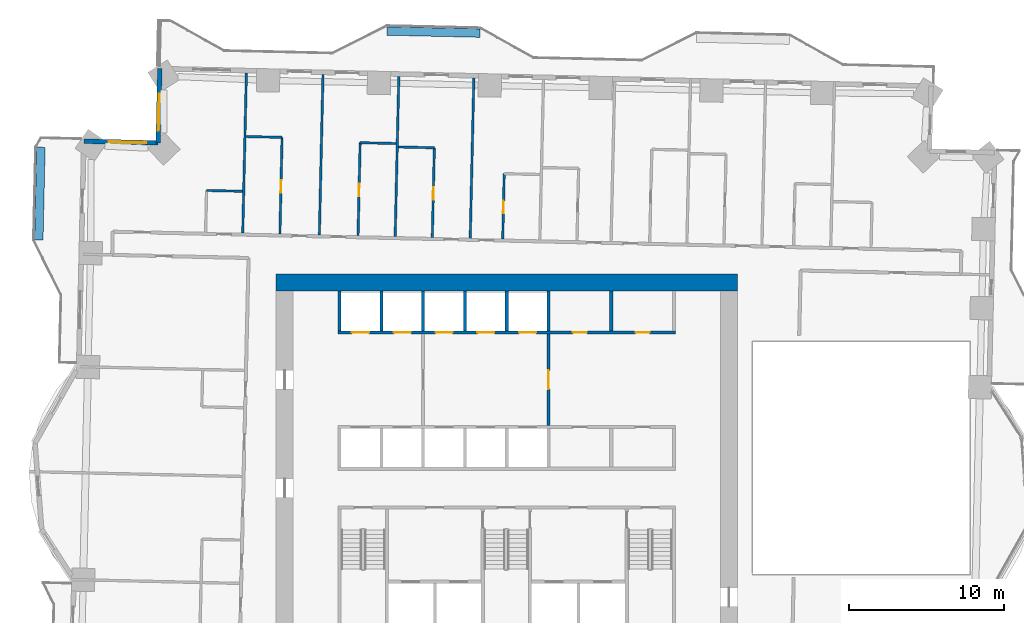
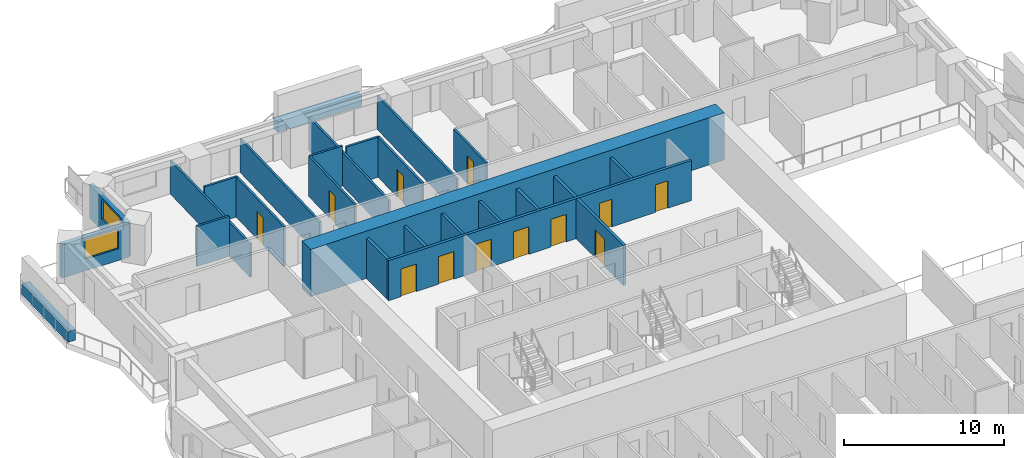
# One storey, part 11 of 19: 26 walls, 12 doors, 2 windows, 14 openings.
"""IFC4 building model written with IfcOpenShell, lengths in metres."""

from ifc_helpers import new_model, si_unit, direction, frame, frame_2d, origin, place, context, subcontext, project, spatial, rectangle, extrude, material, layer, layer_set, type_object, element, fill, save


model = new_model("IFC4")

# Units and contexts
model_context = context("Model", 3, precision=1e-05, world=origin(), true_north=direction((0.0, 1.0)))
body_context = subcontext(model_context, "Body", "Model", "MODEL_VIEW")
ifc_project = project(units=[si_unit("LENGTHUNIT", "METRE"), si_unit("AREAUNIT", "SQUARE_METRE"), si_unit("VOLUMEUNIT", "CUBIC_METRE"), si_unit("PLANEANGLEUNIT", "RADIAN"), si_unit("MASSUNIT", "GRAM", prefix="KILO")], contexts=[model_context])

# Site, building, storey
site_placement = place(None, origin())
site = spatial("IfcSite", under=ifc_project, at=site_placement, CompositionType="ELEMENT")
building_placement = place(site_placement, origin())
building = spatial("IfcBuilding", under=site, at=building_placement, Name="Mangrove Gate Tower", CompositionType="ELEMENT")
storey_placement = place(building_placement, frame((0.0, 0.0, 63.89990234375)))
storey = spatial("IfcBuildingStorey", under=building, at=storey_placement, Name="L15", CompositionType="ELEMENT", Elevation=63.89990234375)

# Wall, opening, door
ifc_material_1 = material(Name="Concrete C32/40", Category="concrete")
ifc_layer_1 = layer(ifc_material_1, 0.199951171875)
ifc_layer_set_1 = layer_set([ifc_layer_1], Name="Core lobby wall 200 C32/40")
wall_type_1 = type_object("IfcWallType", Name="Core lobby wall 200 C32/40", PredefinedType="STANDARD", material=ifc_layer_set_1)
wall_1_placement = place(storey_placement, frame((2.699951171875, 2.10009765625, 0.0), z_axis=(0.0, 0.0, 1.0), x_axis=(0.0, 1.0, 0.0)))
wall_1 = element("IfcWall", 1, at=wall_1_placement, inside=storey, type_object=wall_type_1, Name="WALL-L15-CORE-36", PredefinedType="STANDARD", context=body_context, shape_type="SweptSolid", body=[
    extrude(rectangle(XDim=5.89990234375, YDim=0.199951171875, at=frame_2d((2.949951171875, 0.0))), origin(), (0.0, 0.0, 1.0), 3.050048828125),
])
opening_1_placement = place(wall_1_placement, frame((2.35009765625, 0.0, 0.0)))
opening_1 = element("IfcOpeningElement", 2, at=opening_1_placement, cuts=wall_1, Name="Opening FL12", PredefinedType="OPENING", context=body_context, shape_type="SweptSolid", body=[
    extrude(rectangle(XDim=1.199951171875, YDim=2.10009765625, at=frame_2d((0.60009765625, 1.050048828125))), frame((0.0, 0.10986328125, 0.0), z_axis=(0.0, -1.0, 0.0), x_axis=(1.0, 0.0, 0.0)), (0.0, 0.0, 1.0), 0.219970703125),
])
ifc_material_2 = material(Name="Fire-rated steel door set", Category="steel")
door_type_1 = type_object("IfcDoorType", Name="Lobby door FD60 1200x2100", OperationType="SINGLE_SWING_LEFT", PredefinedType="DOOR", material=ifc_material_2)
door_1_placement = place(opening_1_placement, origin())
door_1 = element("IfcDoor", 3, at=door_1_placement, inside=storey, type_object=door_type_1, Name="Lobby door lift lobby partition", OperationType="SINGLE_SWING_LEFT", OverallHeight=2.10009765625, OverallWidth=1.199951171875, PredefinedType="DOOR", context=body_context, shape_type="SweptSolid", body=[
    extrude(rectangle(XDim=1.199951171875, YDim=2.10009765625, at=frame_2d((0.60009765625, 1.050048828125))), frame((0.0, 0.02490234375, 0.0), z_axis=(0.0, -1.0, 0.0), x_axis=(1.0, 0.0, 0.0)), (0.0, 0.0, 1.0), 0.050048828125),
])
fill(opening_1, door_1)

# Wall
ifc_material_3 = material(Name="Concrete C32/40", Category="concrete")
ifc_layer_2 = layer(ifc_material_3, 0.199951171875)
ifc_layer_set_2 = layer_set([ifc_layer_2], Name="Core room wall 200 C32/40")
wall_type_2 = type_object("IfcWallType", Name="Core room wall 200 C32/40", PredefinedType="STANDARD", material=ifc_layer_set_2)
wall_2_placement = place(storey_placement, frame((6.75, 8.199951171875, 0.0), z_axis=(0.0, 0.0, 1.0), x_axis=(0.0, 1.0, 0.0)))
element("IfcWall", 4, at=wall_2_placement, inside=storey, type_object=wall_type_2, Name="WALL-L15-CORE-33", PredefinedType="STANDARD", context=body_context, shape_type="SweptSolid", body=[
    extrude(rectangle(XDim=2.60009765625, YDim=0.199951171875, at=frame_2d((1.300048828125, 0.0))), origin(), (0.0, 0.0, 1.0), 3.050048828125),
])

# Wall, openings, doors
ifc_material_4 = material(Name="Concrete C70/85", Category="concrete")
ifc_layer_3 = layer(ifc_material_4, 0.199951171875)
ifc_layer_set_3 = layer_set([ifc_layer_3], Name="Core shaft wall 200 C70/85")
wall_type_3 = type_object("IfcWallType", Name="Core shaft wall 200 C70/85", PredefinedType="SHEAR", material=ifc_layer_set_3)
wall_3_placement = place(storey_placement, frame((-10.89990234375, 8.10009765625, 0.0), z_axis=(0.0, 0.0, 1.0), x_axis=(1.0, 0.0, 0.0)))
wall_3 = element("IfcWall", 5, at=wall_3_placement, inside=storey, type_object=wall_type_3, Name="WALL-L15-CORE-8", PredefinedType="SHEAR", context=body_context, shape_type="SweptSolid", body=[
    extrude(rectangle(XDim=21.7998046875, YDim=0.199951171875, at=frame_2d((10.89990234375, 0.0))), origin(), (0.0, 0.0, 1.0), 3.050048828125),
])
opening_2_placement = place(wall_3_placement, frame((0.89990234375, 0.0, 0.0)))
opening_2 = element("IfcOpeningElement", 6, at=opening_2_placement, cuts=wall_3, Name="Opening LD", PredefinedType="OPENING", context=body_context, shape_type="SweptSolid", body=[
    extrude(rectangle(XDim=1.10009765625, YDim=2.10009765625, at=frame_2d((0.550048828125, 1.050048828125))), frame((0.0, 0.10986328125, 0.0), z_axis=(0.0, -1.0, 0.0), x_axis=(1.0, 0.0, 0.0)), (0.0, 0.0, 1.0), 0.219970703125),
])
opening_3_placement = place(wall_3_placement, frame((3.60009765625, 0.0, 0.0)))
opening_3 = element("IfcOpeningElement", 7, at=opening_3_placement, cuts=wall_3, Name="Opening LD", PredefinedType="OPENING", context=body_context, shape_type="SweptSolid", body=[
    extrude(rectangle(XDim=1.10009765625, YDim=2.10009765625, at=frame_2d((0.550048828125, 1.050048828125))), frame((0.0, 0.10986328125, 0.0), z_axis=(0.0, -1.0, 0.0), x_axis=(1.0, 0.0, 0.0)), (0.0, 0.0, 1.0), 0.219970703125),
])
opening_4_placement = place(wall_3_placement, frame((6.300048828125, 0.0, 0.0)))
opening_4 = element("IfcOpeningElement", 8, at=opening_4_placement, cuts=wall_3, Name="Opening LD", PredefinedType="OPENING", context=body_context, shape_type="SweptSolid", body=[
    extrude(rectangle(XDim=1.10009765625, YDim=2.10009765625, at=frame_2d((0.550048828125, 1.050048828125))), frame((0.0, 0.10986328125, 0.0), z_axis=(0.0, -1.0, 0.0), x_axis=(1.0, 0.0, 0.0)), (0.0, 0.0, 1.0), 0.219970703125),
])
opening_5_placement = place(wall_3_placement, frame((9.0, 0.0, 0.0)))
opening_5 = element("IfcOpeningElement", 9, at=opening_5_placement, cuts=wall_3, Name="Opening LD", PredefinedType="OPENING", context=body_context, shape_type="SweptSolid", body=[
    extrude(rectangle(XDim=1.10009765625, YDim=2.10009765625, at=frame_2d((0.550048828125, 1.050048828125))), frame((0.0, 0.10986328125, 0.0), z_axis=(0.0, -1.0, 0.0), x_axis=(1.0, 0.0, 0.0)), (0.0, 0.0, 1.0), 0.219970703125),
])
opening_6_placement = place(wall_3_placement, frame((11.699951171875, 0.0, 0.0)))
opening_6 = element("IfcOpeningElement", 10, at=opening_6_placement, cuts=wall_3, Name="Opening LD", PredefinedType="OPENING", context=body_context, shape_type="SweptSolid", body=[
    extrude(rectangle(XDim=1.10009765625, YDim=2.10009765625, at=frame_2d((0.550048828125, 1.050048828125))), frame((0.0, 0.10986328125, 0.0), z_axis=(0.0, -1.0, 0.0), x_axis=(1.0, 0.0, 0.0)), (0.0, 0.0, 1.0), 0.219970703125),
])
opening_7_placement = place(wall_3_placement, frame((15.175048828125, 0.0, 0.0)))
opening_7 = element("IfcOpeningElement", 11, at=opening_7_placement, cuts=wall_3, Name="Opening RD", PredefinedType="OPENING", context=body_context, shape_type="SweptSolid", body=[
    extrude(rectangle(XDim=0.89990234375, YDim=2.10009765625, at=frame_2d((0.449951171875, 1.050048828125))), frame((0.0, 0.10986328125, 0.0), z_axis=(0.0, -1.0, 0.0), x_axis=(1.0, 0.0, 0.0)), (0.0, 0.0, 1.0), 0.219970703125),
])
opening_8_placement = place(wall_3_placement, frame((19.22509765625, 0.0, 0.0)))
opening_8 = element("IfcOpeningElement", 12, at=opening_8_placement, cuts=wall_3, Name="Opening KD", PredefinedType="OPENING", context=body_context, shape_type="SweptSolid", body=[
    extrude(rectangle(XDim=0.89990234375, YDim=2.10009765625, at=frame_2d((0.449951171875, 1.050048828125))), frame((0.0, 0.10986328125, 0.0), z_axis=(0.0, -1.0, 0.0), x_axis=(1.0, 0.0, 0.0)), (0.0, 0.0, 1.0), 0.219970703125),
])
ifc_material_5 = material(Name="Fire-rated steel door set", Category="steel")
door_type_2 = type_object("IfcDoorType", Name="Core room door FD30S 900x2100", OperationType="SINGLE_SWING_RIGHT", PredefinedType="DOOR", material=ifc_material_5)
door_2_placement = place(opening_8_placement, origin())
door_2 = element("IfcDoor", 13, at=door_2_placement, inside=storey, type_object=door_type_2, Name="Core room door Linen store", OperationType="SINGLE_SWING_RIGHT", OverallHeight=2.10009765625, OverallWidth=0.89990234375, PredefinedType="DOOR", context=body_context, shape_type="SweptSolid", body=[
    extrude(rectangle(XDim=0.89990234375, YDim=2.10009765625, at=frame_2d((0.449951171875, 1.050048828125))), frame((0.0, 0.02490234375, 0.0), z_axis=(0.0, -1.0, 0.0), x_axis=(1.0, 0.0, 0.0)), (0.0, 0.0, 1.0), 0.050048828125),
])
fill(opening_8, door_2)
ifc_material_6 = material(Name="Stainless steel 316", Category="steel")
door_type_3 = type_object("IfcDoorType", Name="Lift landing door 1100x2100", OperationType="SLIDING_TO_LEFT", PredefinedType="DOOR", material=ifc_material_6)
door_3_placement = place(opening_2_placement, origin())
door_3 = element("IfcDoor", 14, at=door_3_placement, inside=storey, type_object=door_type_3, Name="Landing door LD P06", OperationType="SLIDING_TO_LEFT", OverallHeight=2.10009765625, OverallWidth=1.10009765625, PredefinedType="DOOR", context=body_context, shape_type="SweptSolid", body=[
    extrude(rectangle(XDim=1.10009765625, YDim=2.10009765625, at=frame_2d((0.550048828125, 1.050048828125))), frame((0.0, 0.02490234375, 0.0), z_axis=(0.0, -1.0, 0.0), x_axis=(1.0, 0.0, 0.0)), (0.0, 0.0, 1.0), 0.050048828125),
])
fill(opening_2, door_3)
door_4_placement = place(opening_3_placement, origin())
door_4 = element("IfcDoor", 15, at=door_4_placement, inside=storey, type_object=door_type_3, Name="Landing door LD P07", OperationType="SLIDING_TO_LEFT", OverallHeight=2.10009765625, OverallWidth=1.10009765625, PredefinedType="DOOR", context=body_context, shape_type="SweptSolid", body=[
    extrude(rectangle(XDim=1.10009765625, YDim=2.10009765625, at=frame_2d((0.550048828125, 1.050048828125))), frame((0.0, 0.02490234375, 0.0), z_axis=(0.0, -1.0, 0.0), x_axis=(1.0, 0.0, 0.0)), (0.0, 0.0, 1.0), 0.050048828125),
])
fill(opening_3, door_4)
door_5_placement = place(opening_4_placement, origin())
door_5 = element("IfcDoor", 16, at=door_5_placement, inside=storey, type_object=door_type_3, Name="Landing door LD P08", OperationType="SLIDING_TO_LEFT", OverallHeight=2.10009765625, OverallWidth=1.10009765625, PredefinedType="DOOR", context=body_context, shape_type="SweptSolid", body=[
    extrude(rectangle(XDim=1.10009765625, YDim=2.10009765625, at=frame_2d((0.550048828125, 1.050048828125))), frame((0.0, 0.02490234375, 0.0), z_axis=(0.0, -1.0, 0.0), x_axis=(1.0, 0.0, 0.0)), (0.0, 0.0, 1.0), 0.050048828125),
])
fill(opening_4, door_5)
door_6_placement = place(opening_5_placement, origin())
door_6 = element("IfcDoor", 17, at=door_6_placement, inside=storey, type_object=door_type_3, Name="Landing door LD P09", OperationType="SLIDING_TO_LEFT", OverallHeight=2.10009765625, OverallWidth=1.10009765625, PredefinedType="DOOR", context=body_context, shape_type="SweptSolid", body=[
    extrude(rectangle(XDim=1.10009765625, YDim=2.10009765625, at=frame_2d((0.550048828125, 1.050048828125))), frame((0.0, 0.02490234375, 0.0), z_axis=(0.0, -1.0, 0.0), x_axis=(1.0, 0.0, 0.0)), (0.0, 0.0, 1.0), 0.050048828125),
])
fill(opening_5, door_6)
door_7_placement = place(opening_6_placement, origin())
door_7 = element("IfcDoor", 18, at=door_7_placement, inside=storey, type_object=door_type_3, Name="Landing door LD P10", OperationType="SLIDING_TO_LEFT", OverallHeight=2.10009765625, OverallWidth=1.10009765625, PredefinedType="DOOR", context=body_context, shape_type="SweptSolid", body=[
    extrude(rectangle(XDim=1.10009765625, YDim=2.10009765625, at=frame_2d((0.550048828125, 1.050048828125))), frame((0.0, 0.02490234375, 0.0), z_axis=(0.0, -1.0, 0.0), x_axis=(1.0, 0.0, 0.0)), (0.0, 0.0, 1.0), 0.050048828125),
])
fill(opening_6, door_7)
ifc_material_7 = material(Name="Fire-rated steel door set", Category="steel")
door_type_4 = type_object("IfcDoorType", Name="Riser door FD30S 900x2100", OperationType="SINGLE_SWING_LEFT", PredefinedType="DOOR", material=ifc_material_7)
door_8_placement = place(opening_7_placement, origin())
door_8 = element("IfcDoor", 19, at=door_8_placement, inside=storey, type_object=door_type_4, Name="Riser door Electrical room", OperationType="SINGLE_SWING_LEFT", OverallHeight=2.10009765625, OverallWidth=0.89990234375, PredefinedType="DOOR", context=body_context, shape_type="SweptSolid", body=[
    extrude(rectangle(XDim=0.89990234375, YDim=2.10009765625, at=frame_2d((0.449951171875, 1.050048828125))), frame((0.0, 0.02490234375, 0.0), z_axis=(0.0, -1.0, 0.0), x_axis=(1.0, 0.0, 0.0)), (0.0, 0.0, 1.0), 0.050048828125),
])
fill(opening_7, door_8)

# Walls
for number, where, z_axis, x_axis, name in (
    (20, (-10.800048828125, 8.199951171875, 0.0), (0.0, 0.0, 1.0), (0.0, 1.0, 0.0), "WALL-L15-CORE-27"),
    (21, (-8.10009765625, 8.199951171875, 0.0), (0.0, 0.0, 1.0), (0.0, 1.0, 0.0), "WALL-L15-CORE-28"),
    (22, (-5.39990234375, 8.199951171875, 0.0), (0.0, 0.0, 1.0), (0.0, 1.0, 0.0), "WALL-L15-CORE-29"),
    (23, (-2.699951171875, 8.199951171875, 0.0), (0.0, 0.0, 1.0), (0.0, 1.0, 0.0), "WALL-L15-CORE-30"),
    (24, (0.0, 8.199951171875, 0.0), (0.0, 0.0, 1.0), (0.0, 1.0, 0.0), "WALL-L15-CORE-31"),
    (25, (2.699951171875, 8.199951171875, 0.0), (0.0, 0.0, 1.0), (0.0, 1.0, 0.0), "WALL-L15-CORE-32"),
):
    element("IfcWall", number, at=place(storey_placement, frame(where, z_axis=z_axis, x_axis=x_axis)), inside=storey, type_object=wall_type_3, Name=name, PredefinedType="SHEAR", context=body_context, shape_type="SweptSolid", body=[
        extrude(rectangle(XDim=2.60009765625, YDim=0.199951171875, at=frame_2d((1.300048828125, 0.0))), origin(), (0.0, 0.0, 1.0), 3.050048828125),
    ])
ifc_material_8 = material(Name="Concrete C70/85", Category="concrete")
ifc_layer_4 = layer(ifc_material_8, 1.10009765625)
ifc_layer_set_4 = layer_set([ifc_layer_4], Name="Core wall 1100 C70/85")
wall_type_4 = type_object("IfcWallType", Name="Core wall 1100 C70/85", PredefinedType="SHEAR", material=ifc_layer_set_4)
wall_4_placement = place(storey_placement, frame((-14.89990234375, 11.35009765625, 0.0), z_axis=(0.0, 0.0, 1.0), x_axis=(1.0, 0.0, 0.0)))
element("IfcWall", 26, at=wall_4_placement, inside=storey, type_object=wall_type_4, Name="WALL-L15-CORE-2", PredefinedType="SHEAR", context=body_context, shape_type="SweptSolid", body=[
    extrude(rectangle(XDim=29.7998046875, YDim=1.10009765625, at=frame_2d((14.89990234375, 0.0))), origin(), (0.0, 0.0, 1.0), 3.60009765625),
])

# Wall, opening, window
ifc_material_9 = material(Name="Limestone", Category="masonry")
ifc_layer_5 = layer(ifc_material_9, 0.0400390625, Name="Limestone cladding")
ifc_material_10 = material(Name="Ventilated air gap")
ifc_layer_6 = layer(ifc_material_10, 0.0400390625, Name="Ventilated cavity")
ifc_material_11 = material(Name="Mineral wool insulation")
ifc_layer_7 = layer(ifc_material_11, 0.06005859375, Name="Insulation")
ifc_material_12 = material(Name="Breather membrane")
ifc_layer_8 = layer(ifc_material_12, 0.001953125, Name="Breather membrane")
ifc_material_13 = material(Name="Concrete C20/25 blockwork", Category="masonry")
ifc_layer_9 = layer(ifc_material_13, 0.14990234375, Name="Blockwork backing wall")
ifc_material_14 = material(Name="Gypsum plaster")
ifc_layer_10 = layer(ifc_material_14, 0.008056640625, Name="Internal plaster")
ifc_layer_set_5 = layer_set([ifc_layer_5, ifc_layer_6, ifc_layer_7, ifc_layer_8, ifc_layer_9, ifc_layer_10], Name="External wall 300 limestone cladding")
wall_type_5 = type_object("IfcWallType", Name="External wall 300 limestone cladding", PredefinedType="SOLIDWALL", material=ifc_layer_set_5)
wall_5_placement = place(storey_placement, frame((-22.416015625, 25.152099609375, 0.0), z_axis=(0.0, 0.0, 1.0), x_axis=(-0.022683280499, -0.999742701292, 0.0)))
wall_5 = element("IfcWall", 27, at=wall_5_placement, inside=storey, type_object=wall_type_5, Name="WALL-L15-W6", PredefinedType="SOLIDWALL", context=body_context, shape_type="SweptSolid", body=[
    extrude(rectangle(XDim=4.80029296875, YDim=0.300048828125, at=frame_2d((2.400146484375, 0.0))), origin(), (0.0, 0.0, 1.0), 2.550048828125),
])
opening_9_placement = place(wall_5_placement, frame((1.616943359375, 0.0, 0.89990234375)))
opening_9 = element("IfcOpeningElement", 28, at=opening_9_placement, cuts=wall_5, Name="Opening W2", PredefinedType="OPENING", context=body_context, shape_type="SweptSolid", body=[
    extrude(rectangle(XDim=2.39990234375, YDim=1.5, at=frame_2d((1.199951171875, 0.75))), frame((0.0, 0.159912109375, 0.0), z_axis=(0.0, -1.0, 0.0), x_axis=(1.0, 0.0, 0.0)), (0.0, 0.0, 1.0), 0.320068359375),
])
ifc_material_15 = material(Name="Aluminium frame with double-glazed low-e glass", Category="aluminium")
window_type = type_object("IfcWindowType", Name="Corner room window 2400x1500", PartitioningType="DOUBLE_PANEL_VERTICAL", PredefinedType="WINDOW", material=ifc_material_15)
window_1_placement = place(opening_9_placement, origin())
window_1 = element("IfcWindow", 29, at=window_1_placement, inside=storey, type_object=window_type, Name="WIN-L15-W6-1", OverallHeight=1.5, OverallWidth=2.39990234375, PartitioningType="DOUBLE_PANEL_VERTICAL", PredefinedType="WINDOW", context=body_context, shape_type="SweptSolid", body=[
    extrude(rectangle(XDim=2.39990234375, YDim=1.5, at=frame_2d((1.199951171875, 0.75))), frame((0.0, 0.030029296875, 0.0), z_axis=(0.0, -1.0, 0.0), x_axis=(1.0, 0.0, 0.0)), (0.0, 0.0, 1.0), 0.06005859375),
])
fill(opening_9, window_1)

wall_6_placement = place(storey_placement, frame((-22.52490234375, 20.35302734375, 0.0), z_axis=(0.0, 0.0, 1.0), x_axis=(-0.999742701292, 0.022683280499, 0.0)))
wall_6 = element("IfcWall", 30, at=wall_6_placement, inside=storey, type_object=wall_type_5, Name="WALL-L15-N7", PredefinedType="SOLIDWALL", context=body_context, shape_type="SweptSolid", body=[
    extrude(rectangle(XDim=4.80029296875, YDim=0.300048828125, at=frame_2d((2.400146484375, 0.0))), origin(), (0.0, 0.0, 1.0), 2.550048828125),
])
opening_10_placement = place(wall_6_placement, frame((0.781982421875, 0.0, 0.89990234375)))
opening_10 = element("IfcOpeningElement", 31, at=opening_10_placement, cuts=wall_6, Name="Opening W2", PredefinedType="OPENING", context=body_context, shape_type="SweptSolid", body=[
    extrude(rectangle(XDim=2.39990234375, YDim=1.5, at=frame_2d((1.199951171875, 0.75))), frame((0.0, 0.159912109375, 0.0), z_axis=(0.0, -1.0, 0.0), x_axis=(1.0, 0.0, 0.0)), (0.0, 0.0, 1.0), 0.320068359375),
])
window_2_placement = place(opening_10_placement, origin())
window_2 = element("IfcWindow", 32, at=window_2_placement, inside=storey, type_object=window_type, Name="WIN-L15-N7-1", OverallHeight=1.5, OverallWidth=2.39990234375, PartitioningType="DOUBLE_PANEL_VERTICAL", PredefinedType="WINDOW", context=body_context, shape_type="SweptSolid", body=[
    extrude(rectangle(XDim=2.39990234375, YDim=1.5, at=frame_2d((1.199951171875, 0.75))), frame((0.0, 0.030029296875, 0.0), z_axis=(0.0, -1.0, 0.0), x_axis=(1.0, 0.0, 0.0)), (0.0, 0.0, 1.0), 0.06005859375),
])
fill(opening_10, window_2)

# Wall
ifc_material_16 = material(Name="Gypsum board on steel stud, EI 60", Category="steel")
ifc_layer_11 = layer(ifc_material_16, 0.14990234375)
ifc_layer_set_6 = layer_set([ifc_layer_11], Name="Party wall 150 EI 60")
wall_type_6 = type_object("IfcWallType", Name="Party wall 150 EI 60", PredefinedType="PARTITIONING", material=ifc_layer_set_6)
wall_7_placement = place(storey_placement, frame((-17.05810546875, 14.527099609375, 0.0), z_axis=(0.0, 0.0, 1.0), x_axis=(0.022714440015, 0.999741993824, 0.0)))
element("IfcWall", 33, at=wall_7_placement, inside=storey, type_object=wall_type_6, Name="WALL-L15-059", PredefinedType="PARTITIONING", context=body_context, shape_type="SweptSolid", body=[
    extrude(rectangle(XDim=10.3505859375, YDim=0.14990234375, at=frame_2d((5.17529296875, 0.0))), origin(), (0.0, 0.0, 1.0), 2.550048828125),
])

# Wall, opening, door
wall_8_placement = place(storey_placement, frame((-14.657958984375, 14.472900390625, 0.0), z_axis=(0.0, 0.0, 1.0), x_axis=(0.022576530581, 0.999745117651, 0.0)))
wall_8 = element("IfcWall", 34, at=wall_8_placement, inside=storey, type_object=wall_type_6, Name="WALL-L15-060", PredefinedType="PARTITIONING", context=body_context, shape_type="SweptSolid", body=[
    extrude(rectangle(XDim=6.23974609375, YDim=0.14990234375, at=frame_2d((3.119873046875, 0.0))), origin(), (0.0, 0.0, 1.0), 3.050048828125),
])
opening_11_placement = place(wall_8_placement, frame((2.669921875, 0.0, 0.0)))
opening_11 = element("IfcOpeningElement", 35, at=opening_11_placement, cuts=wall_8, Name="Opening ED", PredefinedType="OPENING", context=body_context, shape_type="SweptSolid", body=[
    extrude(rectangle(XDim=0.800048828125, YDim=2.10009765625, at=frame_2d((0.39990234375, 1.050048828125))), frame((0.0, 0.0849609375, 0.0), z_axis=(0.0, -1.0, 0.0), x_axis=(1.0, 0.0, 0.0)), (0.0, 0.0, 1.0), 0.169921875),
])
ifc_material_17 = material(Name="Timber door leaf", Category="wood")
door_type_5 = type_object("IfcDoorType", Name="En-suite door 800", OperationType="SINGLE_SWING_LEFT", PredefinedType="DOOR", material=ifc_material_17)
door_9_placement = place(opening_11_placement, origin())
door_9 = element("IfcDoor", 36, at=door_9_placement, inside=storey, type_object=door_type_5, Name="DOOR-L15-ENS-c517", OperationType="SINGLE_SWING_LEFT", OverallHeight=2.10009765625, OverallWidth=0.800048828125, PredefinedType="DOOR", context=body_context, shape_type="SweptSolid", body=[
    extrude(rectangle(XDim=0.800048828125, YDim=2.10009765625, at=frame_2d((0.39990234375, 1.050048828125))), frame((0.0, 0.02490234375, 0.0), z_axis=(0.0, -1.0, 0.0), x_axis=(1.0, 0.0, 0.0)), (0.0, 0.0, 1.0), 0.050048828125),
])
fill(opening_11, door_9)

# Wall
wall_9_placement = place(storey_placement, frame((-12.10888671875, 14.4150390625, 0.0), z_axis=(0.0, 0.0, 1.0), x_axis=(0.022690865001, 0.999742529177, 0.0)))
element("IfcWall", 37, at=wall_9_placement, inside=storey, type_object=wall_type_6, Name="WALL-L15-061", PredefinedType="PARTITIONING", context=body_context, shape_type="SweptSolid", body=[
    extrude(rectangle(XDim=10.3505859375, YDim=0.14990234375, at=frame_2d((5.17529296875, 0.0))), origin(), (0.0, 0.0, 1.0), 2.550048828125),
])

# Wall, opening, door
wall_10_placement = place(storey_placement, frame((-9.610107421875, 14.35791015625, 0.0), z_axis=(0.0, 0.0, 1.0), x_axis=(0.022827512011, 0.999739418396, 0.0)))
wall_10 = element("IfcWall", 38, at=wall_10_placement, inside=storey, type_object=wall_type_6, Name="WALL-L15-062", PredefinedType="PARTITIONING", context=body_context, shape_type="SweptSolid", body=[
    extrude(rectangle(XDim=6.010498046875, YDim=0.14990234375, at=frame_2d((3.00537109375, 0.0))), origin(), (0.0, 0.0, 1.0), 3.050048828125),
])
opening_12_placement = place(wall_10_placement, frame((2.554931640625, 0.0, 0.0)))
opening_12 = element("IfcOpeningElement", 39, at=opening_12_placement, cuts=wall_10, Name="Opening ED", PredefinedType="OPENING", context=body_context, shape_type="SweptSolid", body=[
    extrude(rectangle(XDim=0.800048828125, YDim=2.10009765625, at=frame_2d((0.39990234375, 1.050048828125))), frame((0.0, 0.0849609375, 0.0), z_axis=(0.0, -1.0, 0.0), x_axis=(1.0, 0.0, 0.0)), (0.0, 0.0, 1.0), 0.169921875),
])
door_10_placement = place(opening_12_placement, origin())
door_10 = element("IfcDoor", 40, at=door_10_placement, inside=storey, type_object=door_type_5, Name="DOOR-L15-ENS-c516", OperationType="SINGLE_SWING_RIGHT", OverallHeight=2.10009765625, OverallWidth=0.800048828125, PredefinedType="DOOR", context=body_context, shape_type="SweptSolid", body=[
    extrude(rectangle(XDim=0.800048828125, YDim=2.10009765625, at=frame_2d((0.39990234375, 1.050048828125))), frame((0.0, 0.02490234375, 0.0), z_axis=(0.0, -1.0, 0.0), x_axis=(1.0, 0.0, 0.0)), (0.0, 0.0, 1.0), 0.050048828125),
])
fill(opening_12, door_10)

# Wall
wall_11_placement = place(storey_placement, frame((-7.2099609375, 14.303955078125, 0.0), z_axis=(0.0, 0.0, 1.0), x_axis=(0.022693005506, 0.999742480592, 0.0)))
element("IfcWall", 41, at=wall_11_placement, inside=storey, type_object=wall_type_6, Name="WALL-L15-063", PredefinedType="PARTITIONING", context=body_context, shape_type="SweptSolid", body=[
    extrude(rectangle(XDim=10.349609375, YDim=0.14990234375, at=frame_2d((5.1748046875, 0.0))), origin(), (0.0, 0.0, 1.0), 2.550048828125),
])

# Wall, opening, door
wall_12_placement = place(storey_placement, frame((-4.81103515625, 14.25, 0.0), z_axis=(0.0, 0.0, 1.0), x_axis=(0.022644773889, 0.999743574231, 0.0)))
wall_12 = element("IfcWall", 42, at=wall_12_placement, inside=storey, type_object=wall_type_6, Name="WALL-L15-064", PredefinedType="PARTITIONING", context=body_context, shape_type="SweptSolid", body=[
    extrude(rectangle(XDim=5.78955078125, YDim=0.14990234375, at=frame_2d((2.894775390625, 0.0))), origin(), (0.0, 0.0, 1.0), 3.050048828125),
])
opening_13_placement = place(wall_12_placement, frame((2.445068359375, 0.0, 0.0)))
opening_13 = element("IfcOpeningElement", 43, at=opening_13_placement, cuts=wall_12, Name="Opening ED", PredefinedType="OPENING", context=body_context, shape_type="SweptSolid", body=[
    extrude(rectangle(XDim=0.800048828125, YDim=2.10009765625, at=frame_2d((0.39990234375, 1.050048828125))), frame((0.0, 0.0849609375, 0.0), z_axis=(0.0, -1.0, 0.0), x_axis=(1.0, 0.0, 0.0)), (0.0, 0.0, 1.0), 0.169921875),
])
door_11_placement = place(opening_13_placement, origin())
door_11 = element("IfcDoor", 44, at=door_11_placement, inside=storey, type_object=door_type_5, Name="DOOR-L15-ENS-c515", OperationType="SINGLE_SWING_LEFT", OverallHeight=2.10009765625, OverallWidth=0.800048828125, PredefinedType="DOOR", context=body_context, shape_type="SweptSolid", body=[
    extrude(rectangle(XDim=0.800048828125, YDim=2.10009765625, at=frame_2d((0.39990234375, 1.050048828125))), frame((0.0, 0.02490234375, 0.0), z_axis=(0.0, -1.0, 0.0), x_axis=(1.0, 0.0, 0.0)), (0.0, 0.0, 1.0), 0.050048828125),
])
fill(opening_13, door_11)

# Wall
wall_13_placement = place(storey_placement, frame((-2.362060546875, 14.194091796875, 0.0), z_axis=(0.0, 0.0, 1.0), x_axis=(0.022716582742, 0.999741945138, 0.0)))
element("IfcWall", 45, at=wall_13_placement, inside=storey, type_object=wall_type_6, Name="WALL-L15-065", PredefinedType="PARTITIONING", context=body_context, shape_type="SweptSolid", body=[
    extrude(rectangle(XDim=10.349609375, YDim=0.14990234375, at=frame_2d((5.1748046875, 0.0))), origin(), (0.0, 0.0, 1.0), 2.550048828125),
])

# Wall, opening, door
wall_14_placement = place(storey_placement, frame((-0.261962890625, 14.14599609375, 0.0), z_axis=(0.0, 0.0, 1.0), x_axis=(0.0227358609, 0.999741506905, 0.0)))
wall_14 = element("IfcWall", 46, at=wall_14_placement, inside=storey, type_object=wall_type_6, Name="WALL-L15-066", PredefinedType="PARTITIONING", context=body_context, shape_type="SweptSolid", body=[
    extrude(rectangle(XDim=4.219970703125, YDim=0.14990234375, at=frame_2d((2.10986328125, 0.0))), origin(), (0.0, 0.0, 1.0), 3.050048828125),
])
opening_14_placement = place(wall_14_placement, frame((1.659912109375, 0.0, 0.0)))
opening_14 = element("IfcOpeningElement", 47, at=opening_14_placement, cuts=wall_14, Name="Opening ED", PredefinedType="OPENING", context=body_context, shape_type="SweptSolid", body=[
    extrude(rectangle(XDim=0.800048828125, YDim=2.10009765625, at=frame_2d((0.39990234375, 1.050048828125))), frame((0.0, 0.0849609375, 0.0), z_axis=(0.0, -1.0, 0.0), x_axis=(1.0, 0.0, 0.0)), (0.0, 0.0, 1.0), 0.169921875),
])
door_12_placement = place(opening_14_placement, origin())
door_12 = element("IfcDoor", 48, at=door_12_placement, inside=storey, type_object=door_type_5, Name="DOOR-L15-ENS-c414", OperationType="SINGLE_SWING_RIGHT", OverallHeight=2.10009765625, OverallWidth=0.800048828125, PredefinedType="DOOR", context=body_context, shape_type="SweptSolid", body=[
    extrude(rectangle(XDim=0.800048828125, YDim=2.10009765625, at=frame_2d((0.39990234375, 1.050048828125))), frame((0.0, 0.02490234375, 0.0), z_axis=(0.0, -1.0, 0.0), x_axis=(1.0, 0.0, 0.0)), (0.0, 0.0, 1.0), 0.050048828125),
])
fill(opening_14, door_12)

# Walls
for number, where, z_axis, x_axis, name in (
    (49, (-19.39404296875, 17.281005859375, 0.0), (0.0, 0.0, 1.0), (0.999740260747, -0.02279059109, 0.0), "WALL-L15-077"),
    (50, (-7.001953125, 20.091064453125, 0.0), (0.0, 0.0, 1.0), (0.999740260747, -0.02279059109, 0.0), "WALL-L15-082"),
    (51, (-9.470947265625, 20.366943359375, 0.0), (0.0, 0.0, 1.0), (0.999740260747, -0.02279059109, 0.0), "WALL-L15-084"),
):
    element("IfcWall", number, at=place(storey_placement, frame(where, z_axis=z_axis, x_axis=x_axis)), inside=storey, type_object=wall_type_6, Name=name, PredefinedType="PARTITIONING", context=body_context, shape_type="SweptSolid", body=[
        extrude(rectangle(XDim=2.324462890625, YDim=0.14990234375, at=frame_2d((1.162109375, 0.0))), origin(), (0.0, 0.0, 1.0), 3.050048828125),
    ])
wall_15_placement = place(storey_placement, frame((-16.839111328125, 20.763916015625, 0.0), z_axis=(0.0, 0.0, 1.0), x_axis=(0.99974031529, -0.022788198363, 0.0)))
element("IfcWall", 52, at=wall_15_placement, inside=storey, type_object=wall_type_6, Name="WALL-L15-086", PredefinedType="PARTITIONING", context=body_context, shape_type="SweptSolid", body=[
    extrude(rectangle(XDim=2.32470703125, YDim=0.14990234375, at=frame_2d((1.162353515625, 0.0))), origin(), (0.0, 0.0, 1.0), 3.050048828125),
])
ifc_material_18 = material(Name="Concrete C32/40", Category="concrete")
ifc_layer_12 = layer(ifc_material_18, 0.199951171875, Name="Planter trough wall")
ifc_material_19 = material(Name="Bituminous waterproofing membrane")
ifc_layer_13 = layer(ifc_material_19, 0.0048828125, Name="Waterproofing")
ifc_material_20 = material(Name="Drainage board and gravel")
ifc_layer_14 = layer(ifc_material_20, 0.044921875, Name="Drainage layer")
ifc_material_21 = material(Name="Planting soil")
ifc_layer_15 = layer(ifc_material_21, 0.300048828125, Name="Growing medium")
ifc_layer_set_7 = layer_set([ifc_layer_12, ifc_layer_13, ifc_layer_14, ifc_layer_15], Name="Planter wall 550 C32/40")
wall_type_7 = type_object("IfcWallType", Name="Planter wall 550 C32/40", PredefinedType="USERDEFINED", material=ifc_layer_set_7)
wall_16_placement = place(storey_placement, frame((-7.739013671875, 27.583984375, 0.0), z_axis=(0.0, 0.0, 1.0), x_axis=(0.999743178102, -0.022662255828, 0.0)))
element("IfcWall", 53, at=wall_16_placement, inside=storey, type_object=wall_type_7, Name="PLANTER L15 N1.1", ObjectType="PLANTER", PredefinedType="USERDEFINED", context=body_context, shape_type="SweptSolid", body=[
    extrude(rectangle(XDim=6.00048828125, YDim=0.550048828125, at=frame_2d((3.000244140625, 0.0))), origin(), (0.0, 0.0, 1.0), 0.800048828125),
])
wall_17_placement = place(storey_placement, frame((-30.23388671875, 14.076904296875, 0.0), z_axis=(0.0, 0.0, 1.0), x_axis=(0.022665943652, 0.999743094499, 0.0)))
element("IfcWall", 54, at=wall_17_placement, inside=storey, type_object=wall_type_7, Name="PLANTER L15 W0.1", ObjectType="PLANTER", PredefinedType="USERDEFINED", context=body_context, shape_type="SweptSolid", body=[
    extrude(rectangle(XDim=5.99951171875, YDim=0.550048828125, at=frame_2d((2.999755859375, 0.0))), origin(), (0.0, 0.0, 1.0), 0.800048828125),
])

save(model, "model.ifc")
